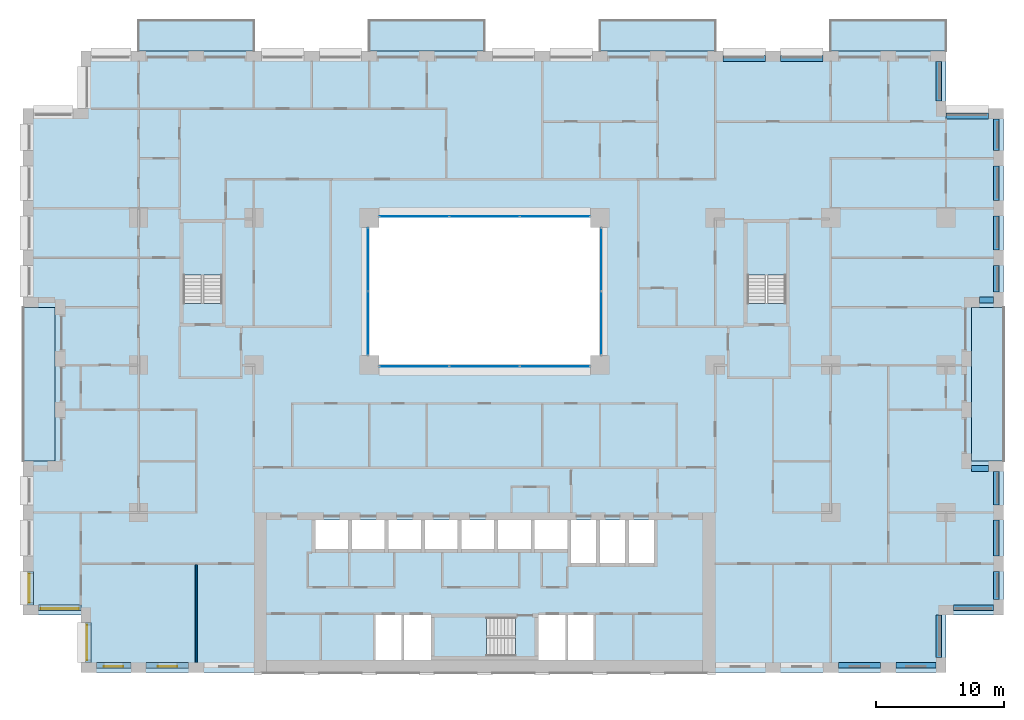
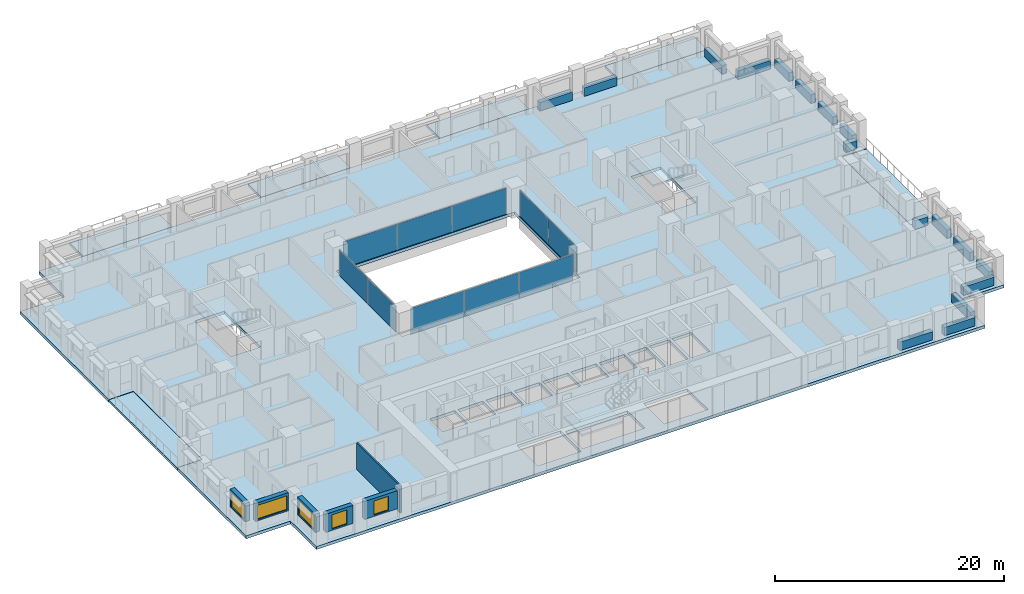
# One storey, part 8 of 20: 17 beams, 10 plates, 10 slabs, 6 walls, 5 windows, 5 openings, 7 elements without a shape of their own.
"""IFC4 building model written with IfcOpenShell, lengths in metres."""

from ifc_helpers import new_model, si_unit, direction, frame, frame_2d, origin, origin_2d, place, context, subcontext, project, spatial, polyline, rectangle, outline, extrude, material, layer, layer_set, material_profile, profile_set, type_object, element, fill, aggregate, save


model = new_model("IFC4")

# Units and contexts
model_context = context("Model", 3, precision=1e-05, world=origin(), true_north=direction((0.0, 1.0)))
body_context = subcontext(model_context, "Body", "Model", "MODEL_VIEW")
ifc_project = project(units=[si_unit("LENGTHUNIT", "METRE"), si_unit("AREAUNIT", "SQUARE_METRE"), si_unit("VOLUMEUNIT", "CUBIC_METRE"), si_unit("PLANEANGLEUNIT", "RADIAN"), si_unit("MASSUNIT", "GRAM", prefix="KILO")], contexts=[model_context])

# Site, building, storey
site_placement = place(None, origin())
site = spatial("IfcSite", under=ifc_project, at=site_placement, CompositionType="ELEMENT")
building_placement = place(site_placement, origin())
building = spatial("IfcBuilding", under=site, at=building_placement, Name="Brigalow Station Residences", CompositionType="ELEMENT")
storey_placement = place(building_placement, frame((0.0, 0.0, 41.550048828125)))
storey = spatial("IfcBuildingStorey", under=building, at=storey_placement, Name="L11", CompositionType="ELEMENT", Elevation=41.550048828125)

# Beams
ifc_material_1 = material(Name="Concrete C65", Category="concrete")
ifc_material_profile = material_profile(ifc_material_1, rectangle(XDim=0.449951171875, YDim=0.89990234375, at=origin_2d()), Name="RC450x900")
ifc_profile_set = profile_set([ifc_material_profile], Name="Concrete C65")
beam_type = type_object("IfcBeamType", Name="SPANDREL BEAM 450x900 C65", PredefinedType="SPANDREL", material=ifc_profile_set)
beam_1_placement = place(storey_placement, frame((63.60009765625, 0.574951171875, 0.449951171875), z_axis=(1.0, 0.0, 0.0), x_axis=(0.0, 1.0, 0.0)))
element("IfcBeam", 1, at=beam_1_placement, inside=storey, type_object=beam_type, Name="L11/spandrel/W-L11-7", PredefinedType="SPANDREL", context=body_context, shape_type="SweptSolid", body=[
    extrude(rectangle(XDim=0.449951171875, YDim=0.89990234375, at=origin_2d()), origin(), (0.0, 0.0, 1.0), 3.2998046875),
])
beam_2_placement = place(storey_placement, frame((68.10009765625, 0.574951171875, 0.449951171875), z_axis=(1.0, 0.0, 0.0), x_axis=(0.0, 1.0, 0.0)))
element("IfcBeam", 2, at=beam_2_placement, inside=storey, type_object=beam_type, Name="L11/spandrel/W-L11-8", PredefinedType="SPANDREL", context=body_context, shape_type="SweptSolid", body=[
    extrude(rectangle(XDim=0.449951171875, YDim=0.89990234375, at=origin_2d()), origin(), (0.0, 0.0, 1.0), 3.099853515625),
])
beam_3_placement = place(storey_placement, frame((71.425048828125, 1.199951171875, 0.449951171875), z_axis=(0.0, 1.0, 0.0), x_axis=(-1.0, 0.0, 0.0)))
element("IfcBeam", 3, at=beam_3_placement, inside=storey, type_object=beam_type, Name="L11/spandrel/W-L11-9", PredefinedType="SPANDREL", context=body_context, shape_type="SweptSolid", body=[
    extrude(rectangle(XDim=0.449951171875, YDim=0.89990234375, at=origin_2d()), origin(), (0.0, 0.0, 1.0), 3.300048828125),
])
beam_4_placement = place(storey_placement, frame((72.60009765625, 5.074951171875, 0.449951171875), z_axis=(1.0, 0.0, 0.0), x_axis=(0.0, 1.0, 0.0)))
element("IfcBeam", 4, at=beam_4_placement, inside=storey, type_object=beam_type, Name="L11/spandrel/W-L11-10", PredefinedType="SPANDREL", context=body_context, shape_type="SweptSolid", body=[
    extrude(rectangle(XDim=0.449951171875, YDim=0.89990234375, at=origin_2d()), origin(), (0.0, 0.0, 1.0), 3.099853515625),
])
beam_5_placement = place(storey_placement, frame((75.925048828125, 5.699951171875, 0.449951171875), z_axis=(0.0, 1.0, 0.0), x_axis=(-1.0, 0.0, 0.0)))
element("IfcBeam", 5, at=beam_5_placement, inside=storey, type_object=beam_type, Name="L11/spandrel/W-L11-11", PredefinedType="SPANDREL", context=body_context, shape_type="SweptSolid", body=[
    extrude(rectangle(XDim=0.449951171875, YDim=0.89990234375, at=origin_2d()), origin(), (0.0, 0.0, 1.0), 2.199951171875),
])
beam_6_placement = place(storey_placement, frame((75.925048828125, 9.10009765625, 0.449951171875), z_axis=(0.0, 1.0, 0.0), x_axis=(-1.0, 0.0, 0.0)))
element("IfcBeam", 6, at=beam_6_placement, inside=storey, type_object=beam_type, Name="L11/spandrel/W-L11-12", PredefinedType="SPANDREL", context=body_context, shape_type="SweptSolid", body=[
    extrude(rectangle(XDim=0.449951171875, YDim=0.89990234375, at=origin_2d()), origin(), (0.0, 0.0, 1.0), 2.7998046875),
])
beam_7_placement = place(storey_placement, frame((75.925048828125, 13.10009765625, 0.449951171875), z_axis=(0.0, 1.0, 0.0), x_axis=(-1.0, 0.0, 0.0)))
element("IfcBeam", 7, at=beam_7_placement, inside=storey, type_object=beam_type, Name="L11/spandrel/W-L11-13", PredefinedType="SPANDREL", context=body_context, shape_type="SweptSolid", body=[
    extrude(rectangle(XDim=0.449951171875, YDim=0.89990234375, at=origin_2d()), origin(), (0.0, 0.0, 1.0), 2.599853515625),
])
beam_8_placement = place(storey_placement, frame((75.300048828125, 15.925048828125, 0.449951171875), z_axis=(-1.0, 0.0, 0.0), x_axis=(0.0, -1.0, 0.0)))
element("IfcBeam", 8, at=beam_8_placement, inside=storey, type_object=beam_type, Name="L11/spandrel/W-L11-14", PredefinedType="SPANDREL", context=body_context, shape_type="SweptSolid", body=[
    extrude(rectangle(XDim=0.449951171875, YDim=0.89990234375, at=origin_2d()), origin(), (0.0, 0.0, 1.0), 1.300048828125),
])
beam_9_placement = place(storey_placement, frame((74.60009765625, 29.074951171875, 0.449951171875), z_axis=(1.0, 0.0, 0.0), x_axis=(0.0, 1.0, 0.0)))
element("IfcBeam", 9, at=beam_9_placement, inside=storey, type_object=beam_type, Name="L11/spandrel/W-L11-18", PredefinedType="SPANDREL", context=body_context, shape_type="SweptSolid", body=[
    extrude(rectangle(XDim=0.449951171875, YDim=0.89990234375, at=origin_2d()), origin(), (0.0, 0.0, 1.0), 1.099853515625),
])
beam_10_placement = place(storey_placement, frame((75.925048828125, 29.699951171875, 0.449951171875), z_axis=(0.0, 1.0, 0.0), x_axis=(-1.0, 0.0, 0.0)))
element("IfcBeam", 10, at=beam_10_placement, inside=storey, type_object=beam_type, Name="L11/spandrel/W-L11-19", PredefinedType="SPANDREL", context=body_context, shape_type="SweptSolid", body=[
    extrude(rectangle(XDim=0.449951171875, YDim=0.89990234375, at=origin_2d()), origin(), (0.0, 0.0, 1.0), 2.074951171875),
])
for number, where, z_axis, x_axis, name in (
    (11, (75.925048828125, 32.97509765625, 0.449951171875), (0.0, 1.0, 0.0), (-1.0, 0.0, 0.0), "L11/spandrel/W-L11-20"),
    (12, (75.925048828125, 36.85009765625, 0.449951171875), (0.0, 1.0, 0.0), (-1.0, 0.0, 0.0), "L11/spandrel/W-L11-21"),
):
    element("IfcBeam", number, at=place(storey_placement, frame(where, z_axis=z_axis, x_axis=x_axis)), inside=storey, type_object=beam_type, Name=name, PredefinedType="SPANDREL", context=body_context, shape_type="SweptSolid", body=[
        extrude(rectangle(XDim=0.449951171875, YDim=0.89990234375, at=origin_2d()), origin(), (0.0, 0.0, 1.0), 2.6748046875),
    ])
beam_11_placement = place(storey_placement, frame((75.925048828125, 40.72509765625, 0.449951171875), z_axis=(0.0, 1.0, 0.0), x_axis=(-1.0, 0.0, 0.0)))
element("IfcBeam", 13, at=beam_11_placement, inside=storey, type_object=beam_type, Name="L11/spandrel/W-L11-22", PredefinedType="SPANDREL", context=body_context, shape_type="SweptSolid", body=[
    extrude(rectangle(XDim=0.449951171875, YDim=0.89990234375, at=origin_2d()), origin(), (0.0, 0.0, 1.0), 2.474853515625),
])
beam_12_placement = place(storey_placement, frame((75.300048828125, 43.425048828125, 0.449951171875), z_axis=(-1.0, 0.0, 0.0), x_axis=(0.0, -1.0, 0.0)))
element("IfcBeam", 14, at=beam_12_placement, inside=storey, type_object=beam_type, Name="L11/spandrel/W-L11-23", PredefinedType="SPANDREL", context=body_context, shape_type="SweptSolid", body=[
    extrude(rectangle(XDim=0.449951171875, YDim=0.89990234375, at=origin_2d()), origin(), (0.0, 0.0, 1.0), 3.300048828125),
])
beam_13_placement = place(storey_placement, frame((71.425048828125, 44.60009765625, 0.449951171875), z_axis=(0.0, 1.0, 0.0), x_axis=(-1.0, 0.0, 0.0)))
element("IfcBeam", 15, at=beam_13_placement, inside=storey, type_object=beam_type, Name="L11/spandrel/W-L11-24", PredefinedType="SPANDREL", context=body_context, shape_type="SweptSolid", body=[
    extrude(rectangle(XDim=0.449951171875, YDim=0.89990234375, at=origin_2d()), origin(), (0.0, 0.0, 1.0), 3.099853515625),
])
for number, where, z_axis, x_axis, name in (
    (16, (62.39990234375, 47.925048828125, 0.449951171875), (-1.0, 0.0, 0.0), (0.0, -1.0, 0.0), "L11/spandrel/W-L11-27"),
    (17, (57.89990234375, 47.925048828125, 0.449951171875), (-1.0, 0.0, 0.0), (0.0, -1.0, 0.0), "L11/spandrel/W-L11-28"),
):
    element("IfcBeam", number, at=place(storey_placement, frame(where, z_axis=z_axis, x_axis=x_axis)), inside=storey, type_object=beam_type, Name=name, PredefinedType="SPANDREL", context=body_context, shape_type="SweptSolid", body=[
        extrude(rectangle(XDim=0.449951171875, YDim=0.89990234375, at=origin_2d()), origin(), (0.0, 0.0, 1.0), 3.2998046875),
    ])

# Curtain wall, plates
ifc_material_2 = material(Name="Aluminium", Category="aluminium")
ifc_layer_1 = layer(ifc_material_2, 0.14990234375)
ifc_layer_set_1 = layer_set([ifc_layer_1], Name="ATRIUM FIRE-RATED GLAZING CURTAIN WALL")
curtain_wall_type = type_object("IfcCurtainWallType", Name="ATRIUM FIRE-RATED GLAZING CURTAIN WALL", PredefinedType="NOTDEFINED", material=ifc_layer_set_1)
curtain_wall_1_placement = place(storey_placement, origin())
curtain_wall_1 = element("IfcCurtainWall", 18, at=curtain_wall_1_placement, inside=storey, type_object=curtain_wall_type, Name="L11/cw/atrium-S", PredefinedType="NOTDEFINED")
ifc_material_3 = material(Name="Fire-resisting laminated glazing, FRL -/60/-", Category="glass")
ifc_layer_2 = layer(ifc_material_3, 0.031982421875)
ifc_layer_set_2 = layer_set([ifc_layer_2], Name="ATRIUM FIRE-RATED GLAZING PANEL 32")
plate_type = type_object("IfcPlateType", Name="ATRIUM FIRE-RATED GLAZING PANEL 32", PredefinedType="CURTAIN_PANEL", material=ifc_layer_set_2)
plate_1_placement = place(storey_placement, frame((30.514892578125, 23.89990234375, 0.0), z_axis=(0.0, 0.0, 1.0), x_axis=(1.0, 0.0, 0.0)))
plate_1 = element("IfcPlate", 19, at=plate_1_placement, type_object=plate_type, Name="L11/cw/atrium-S/P00-00", PredefinedType="CURTAIN_PANEL", context=body_context, shape_type="SweptSolid", body=[
    extrude(rectangle(XDim=5.409912109375, YDim=0.031982421875, at=origin_2d()), origin(), (0.0, 0.0, 1.0), 2.77001953125),
])
plate_2_placement = place(storey_placement, frame((36.0, 23.89990234375, 0.0), z_axis=(0.0, 0.0, 1.0), x_axis=(1.0, 0.0, 0.0)))
plate_2 = element("IfcPlate", 20, at=plate_2_placement, type_object=plate_type, Name="L11/cw/atrium-S/P01-00", PredefinedType="CURTAIN_PANEL", context=body_context, shape_type="SweptSolid", body=[
    extrude(rectangle(XDim=5.43994140625, YDim=0.031982421875, at=origin_2d()), origin(), (0.0, 0.0, 1.0), 2.77001953125),
])
plate_3_placement = place(storey_placement, frame((41.485107421875, 23.89990234375, 0.0), z_axis=(0.0, 0.0, 1.0), x_axis=(1.0, 0.0, 0.0)))
plate_3 = element("IfcPlate", 21, at=plate_3_placement, type_object=plate_type, Name="L11/cw/atrium-S/P02-00", PredefinedType="CURTAIN_PANEL", context=body_context, shape_type="SweptSolid", body=[
    extrude(rectangle(XDim=5.409912109375, YDim=0.031982421875, at=origin_2d()), origin(), (0.0, 0.0, 1.0), 2.77001953125),
])
aggregate(curtain_wall_1, [plate_1, plate_2, plate_3])

curtain_wall_2_placement = place(storey_placement, origin())
curtain_wall_2 = element("IfcCurtainWall", 22, at=curtain_wall_2_placement, inside=storey, type_object=curtain_wall_type, Name="L11/cw/atrium-E", PredefinedType="NOTDEFINED")
plate_4_placement = place(storey_placement, frame((45.10009765625, 27.264892578125, 0.0), z_axis=(0.0, 0.0, 1.0), x_axis=(0.0, 1.0, 0.0)))
plate_4 = element("IfcPlate", 23, at=plate_4_placement, type_object=plate_type, Name="L11/cw/atrium-E/P00-00", PredefinedType="CURTAIN_PANEL", context=body_context, shape_type="SweptSolid", body=[
    extrude(rectangle(XDim=4.909912109375, YDim=0.031982421875, at=origin_2d()), origin(), (0.0, 0.0, 1.0), 2.77001953125),
])
plate_5_placement = place(storey_placement, frame((45.10009765625, 32.235107421875, 0.0), z_axis=(0.0, 0.0, 1.0), x_axis=(0.0, 1.0, 0.0)))
plate_5 = element("IfcPlate", 24, at=plate_5_placement, type_object=plate_type, Name="L11/cw/atrium-E/P01-00", PredefinedType="CURTAIN_PANEL", context=body_context, shape_type="SweptSolid", body=[
    extrude(rectangle(XDim=4.909912109375, YDim=0.031982421875, at=origin_2d()), origin(), (0.0, 0.0, 1.0), 2.77001953125),
])
aggregate(curtain_wall_2, [plate_4, plate_5])

curtain_wall_3_placement = place(storey_placement, origin())
curtain_wall_3 = element("IfcCurtainWall", 25, at=curtain_wall_3_placement, inside=storey, type_object=curtain_wall_type, Name="L11/cw/atrium-N", PredefinedType="NOTDEFINED")
plate_6_placement = place(storey_placement, frame((41.485107421875, 35.60009765625, 0.0), z_axis=(0.0, 0.0, 1.0), x_axis=(-1.0, 0.0, 0.0)))
plate_6 = element("IfcPlate", 26, at=plate_6_placement, type_object=plate_type, Name="L11/cw/atrium-N/P00-00", PredefinedType="CURTAIN_PANEL", context=body_context, shape_type="SweptSolid", body=[
    extrude(rectangle(XDim=5.409912109375, YDim=0.031982421875, at=origin_2d()), origin(), (0.0, 0.0, 1.0), 2.77001953125),
])
plate_7_placement = place(storey_placement, frame((36.0, 35.60009765625, 0.0), z_axis=(0.0, 0.0, 1.0), x_axis=(-1.0, 0.0, 0.0)))
plate_7 = element("IfcPlate", 27, at=plate_7_placement, type_object=plate_type, Name="L11/cw/atrium-N/P01-00", PredefinedType="CURTAIN_PANEL", context=body_context, shape_type="SweptSolid", body=[
    extrude(rectangle(XDim=5.43994140625, YDim=0.031982421875, at=origin_2d()), origin(), (0.0, 0.0, 1.0), 2.77001953125),
])
plate_8_placement = place(storey_placement, frame((30.514892578125, 35.60009765625, 0.0), z_axis=(0.0, 0.0, 1.0), x_axis=(-1.0, 0.0, 0.0)))
plate_8 = element("IfcPlate", 28, at=plate_8_placement, type_object=plate_type, Name="L11/cw/atrium-N/P02-00", PredefinedType="CURTAIN_PANEL", context=body_context, shape_type="SweptSolid", body=[
    extrude(rectangle(XDim=5.409912109375, YDim=0.031982421875, at=origin_2d()), origin(), (0.0, 0.0, 1.0), 2.77001953125),
])
aggregate(curtain_wall_3, [plate_6, plate_7, plate_8])

curtain_wall_4_placement = place(storey_placement, origin())
curtain_wall_4 = element("IfcCurtainWall", 29, at=curtain_wall_4_placement, inside=storey, type_object=curtain_wall_type, Name="L11/cw/atrium-W", PredefinedType="NOTDEFINED")
plate_9_placement = place(storey_placement, frame((26.89990234375, 32.235107421875, 0.0), z_axis=(0.0, 0.0, 1.0), x_axis=(0.0, -1.0, 0.0)))
plate_9 = element("IfcPlate", 30, at=plate_9_placement, type_object=plate_type, Name="L11/cw/atrium-W/P00-00", PredefinedType="CURTAIN_PANEL", context=body_context, shape_type="SweptSolid", body=[
    extrude(rectangle(XDim=4.909912109375, YDim=0.031982421875, at=origin_2d()), origin(), (0.0, 0.0, 1.0), 2.77001953125),
])
plate_10_placement = place(storey_placement, frame((26.89990234375, 27.264892578125, 0.0), z_axis=(0.0, 0.0, 1.0), x_axis=(0.0, -1.0, 0.0)))
plate_10 = element("IfcPlate", 31, at=plate_10_placement, type_object=plate_type, Name="L11/cw/atrium-W/P01-00", PredefinedType="CURTAIN_PANEL", context=body_context, shape_type="SweptSolid", body=[
    extrude(rectangle(XDim=4.909912109375, YDim=0.031982421875, at=origin_2d()), origin(), (0.0, 0.0, 1.0), 2.77001953125),
])
aggregate(curtain_wall_4, [plate_9, plate_10])

# Slabs
ifc_material_4 = material(Name="Concrete C50 precast", Category="concrete")
ifc_layer_3 = layer(ifc_material_4, 0.25)
ifc_layer_set_3 = layer_set([ifc_layer_3], Name="BALCONY SLAB 250")
slab_type_1 = type_object("IfcSlabType", Name="BALCONY SLAB 250", PredefinedType="USERDEFINED", material=ifc_layer_set_3)
slab_1_placement = place(storey_placement, frame((0.0, 0.0, -0.2900390625)))
element("IfcSlab", 32, at=slab_1_placement, inside=storey, type_object=slab_type_1, Name="L11/balcony/1", ObjectType="BALCONY", PredefinedType="USERDEFINED", context=body_context, shape_type="SweptSolid", body=[
    extrude(outline(polyline([(74.0, 16.5), (76.5, 16.5), (76.5, 28.5), (74.0, 28.5), (74.0, 16.5)])), origin(), (0.0, 0.0, 1.0), 0.25),
])
slab_2_placement = place(storey_placement, frame((0.0, 0.0, -0.2900390625)))
element("IfcSlab", 33, at=slab_2_placement, inside=storey, type_object=slab_type_1, Name="L11/balcony/2", ObjectType="BALCONY", PredefinedType="USERDEFINED", context=body_context, shape_type="SweptSolid", body=[
    extrude(outline(polyline([(72.0, 48.5), (72.0, 50.89990234375), (63.0, 50.89990234375), (63.0, 48.5), (72.0, 48.5)])), origin(), (0.0, 0.0, 1.0), 0.25),
])
slab_3_placement = place(storey_placement, frame((0.0, 0.0, -0.2900390625)))
element("IfcSlab", 34, at=slab_3_placement, inside=storey, type_object=slab_type_1, Name="L11/balcony/3", ObjectType="BALCONY", PredefinedType="USERDEFINED", context=body_context, shape_type="SweptSolid", body=[
    extrude(outline(polyline([(54.0, 48.5), (54.0, 50.89990234375), (45.0, 50.89990234375), (45.0, 48.5), (54.0, 48.5)])), origin(), (0.0, 0.0, 1.0), 0.25),
])
slab_4_placement = place(storey_placement, frame((0.0, 0.0, -0.2900390625)))
element("IfcSlab", 35, at=slab_4_placement, inside=storey, type_object=slab_type_1, Name="L11/balcony/4", ObjectType="BALCONY", PredefinedType="USERDEFINED", context=body_context, shape_type="SweptSolid", body=[
    extrude(outline(polyline([(36.0, 48.5), (36.0, 50.89990234375), (27.0, 50.89990234375), (27.0, 48.5), (36.0, 48.5)])), origin(), (0.0, 0.0, 1.0), 0.25),
])
slab_5_placement = place(storey_placement, frame((0.0, 0.0, -0.2900390625)))
element("IfcSlab", 36, at=slab_5_placement, inside=storey, type_object=slab_type_1, Name="L11/balcony/5", ObjectType="BALCONY", PredefinedType="USERDEFINED", context=body_context, shape_type="SweptSolid", body=[
    extrude(outline(polyline([(18.0, 48.5), (18.0, 50.89990234375), (9.0, 50.89990234375), (9.0, 48.5), (18.0, 48.5)])), origin(), (0.0, 0.0, 1.0), 0.25),
])
slab_6_placement = place(storey_placement, frame((0.0, 0.0, -0.2900390625)))
element("IfcSlab", 37, at=slab_6_placement, inside=storey, type_object=slab_type_1, Name="L11/balcony/6", ObjectType="BALCONY", PredefinedType="USERDEFINED", context=body_context, shape_type="SweptSolid", body=[
    extrude(outline(polyline([(2.5, 28.5), (0.0, 28.5), (0.0, 16.5), (2.5, 16.5), (2.5, 28.5)])), origin(), (0.0, 0.0, 1.0), 0.25),
])
ifc_material_5 = material(Name="Concrete C50", Category="concrete")
ifc_layer_4 = layer(ifc_material_5, 0.320068359375)
ifc_layer_set_4 = layer_set([ifc_layer_4], Name="POST-TENSIONED FLAT PLATE 320 C50")
slab_type_2 = type_object("IfcSlabType", Name="POST-TENSIONED FLAT PLATE 320 C50", PredefinedType="FLOOR", material=ifc_layer_set_4)
slab_7_placement = place(storey_placement, frame((0.0, 0.0, -0.320068359375)))
element("IfcSlab", 38, at=slab_7_placement, inside=storey, type_object=slab_type_2, Name="FLOOR SLAB L11", PredefinedType="FLOOR", context=body_context, shape_type="SweptSolid", body=[
    extrude(outline(polyline([(4.5, 0.0), (72.0, 0.0), (72.0, 4.5), (76.5, 4.5), (76.5, 16.5), (74.0, 16.5), (74.0, 28.5), (76.5, 28.5), (76.5, 44.0), (72.0, 44.0), (72.0, 48.5), (4.5, 48.5), (4.5, 44.0), (0.0, 44.0), (0.0, 28.5), (2.5, 28.5), (2.5, 16.5), (0.0, 16.5), (0.0, 4.5), (4.5, 4.5), (4.5, 0.0)]), holes=[polyline([(15.4951171875, 35.094970703125), (15.4951171875, 28.804931640625), (12.5048828125, 28.804931640625), (12.5048828125, 35.094970703125), (15.4951171875, 35.094970703125)]), polyline([(22.800048828125, 11.89990234375), (25.35009765625, 11.89990234375), (25.35009765625, 9.64990234375), (22.800048828125, 9.64990234375), (22.800048828125, 11.89990234375)]), polyline([(25.64990234375, 11.89990234375), (28.199951171875, 11.89990234375), (28.199951171875, 9.64990234375), (25.64990234375, 9.64990234375), (25.64990234375, 11.89990234375)]), polyline([(28.5, 11.89990234375), (31.050048828125, 11.89990234375), (31.050048828125, 9.64990234375), (28.5, 9.64990234375), (28.5, 11.89990234375)]), polyline([(29.60009765625, 1.0), (27.39990234375, 1.0), (27.39990234375, 4.60009765625), (29.60009765625, 4.60009765625), (31.800048828125, 4.60009765625), (31.800048828125, 1.0), (29.60009765625, 1.0)]), polyline([(31.35009765625, 11.89990234375), (33.89990234375, 11.89990234375), (33.89990234375, 9.64990234375), (31.35009765625, 9.64990234375), (31.35009765625, 11.89990234375)]), polyline([(32.10498046875, 4.294921875), (38.39501953125, 4.294921875), (38.39501953125, 1.304931640625), (32.10498046875, 1.304931640625), (32.10498046875, 4.294921875)]), polyline([(36.75, 11.89990234375), (36.75, 9.64990234375), (34.199951171875, 9.64990234375), (34.199951171875, 11.89990234375), (36.75, 11.89990234375)]), polyline([(37.050048828125, 11.89990234375), (39.60009765625, 11.89990234375), (39.60009765625, 9.64990234375), (37.050048828125, 9.64990234375), (37.050048828125, 11.89990234375)]), polyline([(39.89990234375, 11.89990234375), (42.449951171875, 11.89990234375), (42.449951171875, 9.64990234375), (39.89990234375, 9.64990234375), (39.89990234375, 11.89990234375)]), polyline([(42.39990234375, 1.0), (40.199951171875, 1.0), (40.199951171875, 4.60009765625), (42.39990234375, 4.60009765625), (44.60009765625, 4.60009765625), (44.60009765625, 1.0), (42.39990234375, 1.0)]), polyline([(42.75, 11.89990234375), (44.699951171875, 11.89990234375), (44.699951171875, 8.550048828125), (42.75, 8.550048828125), (42.75, 11.89990234375)]), polyline([(45.0, 11.89990234375), (46.949951171875, 11.89990234375), (46.949951171875, 8.550048828125), (45.0, 8.550048828125), (45.0, 11.89990234375)]), polyline([(45.0, 35.5), (45.0, 24.0), (27.0, 24.0), (27.0, 35.5), (45.0, 35.5)]), polyline([(47.25, 11.89990234375), (49.199951171875, 11.89990234375), (49.199951171875, 8.550048828125), (47.25, 8.550048828125), (47.25, 11.89990234375)]), polyline([(59.4951171875, 35.094970703125), (59.4951171875, 28.804931640625), (56.5048828125, 28.804931640625), (56.5048828125, 35.094970703125), (59.4951171875, 35.094970703125)])]), origin(), (0.0, 0.0, 1.0), 0.320068359375),
])

# Stair, slab
ifc_material_6 = material(Name="Concrete C50", Category="concrete")
stair_type = type_object("IfcStairType", Name="EXIT STAIR 1400 2 FLIGHT", PredefinedType="HALF_TURN_STAIR", material=ifc_material_6)
stair_1_placement = place(storey_placement, origin())
stair_1 = element("IfcStair", 39, at=stair_1_placement, inside=storey, type_object=stair_type, Name="EXIT STAIR S2 L11", PredefinedType="HALF_TURN_STAIR")
ifc_material_7 = material(Name="Concrete C50", Category="concrete")
ifc_layer_5 = layer(ifc_material_7, 0.199951171875)
ifc_layer_set_5 = layer_set([ifc_layer_5], Name="STAIR LANDING 200")
slab_type_3 = type_object("IfcSlabType", Name="STAIR LANDING 200", PredefinedType="LANDING", material=ifc_layer_set_5)
slab_8_placement = place(storey_placement, frame((0.0, 0.0, 1.375)))
slab_8 = element("IfcSlab", 40, at=slab_8_placement, type_object=slab_type_3, Name="ST-2 landing 1", PredefinedType="LANDING", context=body_context, shape_type="SweptSolid", body=[
    extrude(outline(polyline([(32.0, 1.199951171875), (36.159912109375, 1.199951171875), (36.159912109375, 4.39990234375), (32.0, 4.39990234375), (32.0, 1.199951171875)])), origin(), (0.0, 0.0, 1.0), 0.199951171875),
])
aggregate(stair_1, [slab_8])

stair_2_placement = place(storey_placement, origin())
stair_2 = element("IfcStair", 41, at=stair_2_placement, inside=storey, type_object=stair_type, Name="EXIT STAIR S1 L11", PredefinedType="HALF_TURN_STAIR")
slab_9_placement = place(storey_placement, frame((0.0, 0.0, 1.375)))
slab_9 = element("IfcSlab", 42, at=slab_9_placement, type_object=slab_type_3, Name="ST-1 landing 1", PredefinedType="LANDING", context=body_context, shape_type="SweptSolid", body=[
    extrude(outline(polyline([(12.39990234375, 31.0400390625), (15.60009765625, 31.0400390625), (15.60009765625, 35.199951171875), (12.39990234375, 35.199951171875), (12.39990234375, 31.0400390625)])), origin(), (0.0, 0.0, 1.0), 0.199951171875),
])
aggregate(stair_2, [slab_9])

stair_3_placement = place(storey_placement, origin())
stair_3 = element("IfcStair", 43, at=stair_3_placement, inside=storey, type_object=stair_type, Name="EXIT STAIR S3 L11", PredefinedType="HALF_TURN_STAIR")
slab_10_placement = place(storey_placement, frame((0.0, 0.0, 1.375)))
slab_10 = element("IfcSlab", 44, at=slab_10_placement, type_object=slab_type_3, Name="ST-3 landing 1", PredefinedType="LANDING", context=body_context, shape_type="SweptSolid", body=[
    extrude(outline(polyline([(56.39990234375, 31.0400390625), (59.60009765625, 31.0400390625), (59.60009765625, 35.199951171875), (56.39990234375, 35.199951171875), (56.39990234375, 31.0400390625)])), origin(), (0.0, 0.0, 1.0), 0.199951171875),
])
aggregate(stair_3, [slab_10])

# Wall, opening, window
ifc_material_8 = material(Name="Clay brick masonry", Category="masonry")
ifc_layer_6 = layer(ifc_material_8, 0.449951171875)
ifc_layer_set_6 = layer_set([ifc_layer_6], Name="BRICK INFILL WALL 450")
wall_type_1 = type_object("IfcWallType", Name="BRICK INFILL WALL 450", PredefinedType="SOLIDWALL", material=ifc_layer_set_6)
wall_1_placement = place(storey_placement, frame((5.699951171875, 0.574951171875, 0.89990234375), z_axis=(0.0, 0.0, 1.0), x_axis=(1.0, 0.0, 0.0)))
wall_1 = element("IfcWall", 45, at=wall_1_placement, inside=storey, type_object=wall_type_1, Name="L11/ewall/W-L11-1", PredefinedType="SOLIDWALL", context=body_context, shape_type="SweptSolid", body=[
    extrude(rectangle(XDim=2.699951171875, YDim=0.449951171875, at=frame_2d((1.35009765625, 0.0))), origin(), (0.0, 0.0, 1.0), 1.929931640625),
])
opening_1_placement = place(wall_1_placement, frame((0.60009765625, 0.0, 0.14990234375)))
opening_1 = element("IfcOpeningElement", 46, at=opening_1_placement, cuts=wall_1, Name="Opening WT-1", PredefinedType="OPENING", context=body_context, shape_type="SweptSolid", body=[
    extrude(rectangle(XDim=1.5, YDim=1.5, at=frame_2d((0.75, 0.75))), frame((0.0, 0.23486328125, 0.0), z_axis=(0.0, -1.0, 0.0), x_axis=(1.0, 0.0, 0.0)), (0.0, 0.0, 1.0), 0.469970703125),
])
ifc_material_9 = material(Name="Anodised aluminium frame with double glazing", Category="aluminium")
window_type_1 = type_object("IfcWindowType", Name="WINDOW 1500x1500", PartitioningType="SINGLE_PANEL", PredefinedType="WINDOW", material=ifc_material_9)
window_1_placement = place(opening_1_placement, origin())
window_1 = element("IfcWindow", 47, at=window_1_placement, inside=storey, type_object=window_type_1, Name="L11/window/W-L11-1", OverallHeight=1.5, OverallWidth=1.5, PartitioningType="SINGLE_PANEL", PredefinedType="WINDOW", context=body_context, shape_type="SweptSolid", body=[
    extrude(rectangle(XDim=1.5, YDim=1.5, at=frame_2d((0.75, 0.75))), frame((0.0, -0.06494140625, 0.0), z_axis=(0.0, -1.0, 0.0), x_axis=(1.0, 0.0, 0.0)), (0.0, 0.0, 1.0), 0.06005859375),
])
fill(opening_1, window_1)

wall_2_placement = place(storey_placement, frame((9.60009765625, 0.574951171875, 0.89990234375), z_axis=(0.0, 0.0, 1.0), x_axis=(1.0, 0.0, 0.0)))
wall_2 = element("IfcWall", 48, at=wall_2_placement, inside=storey, type_object=wall_type_1, Name="L11/ewall/W-L11-2", PredefinedType="SOLIDWALL", context=body_context, shape_type="SweptSolid", body=[
    extrude(rectangle(XDim=3.2998046875, YDim=0.449951171875, at=frame_2d((1.64990234375, 0.0))), origin(), (0.0, 0.0, 1.0), 1.929931640625),
])
opening_2_placement = place(wall_2_placement, frame((0.89990234375, 0.0, 0.14990234375)))
opening_2 = element("IfcOpeningElement", 49, at=opening_2_placement, cuts=wall_2, Name="Opening WT-1", PredefinedType="OPENING", context=body_context, shape_type="SweptSolid", body=[
    extrude(rectangle(XDim=1.5, YDim=1.5, at=frame_2d((0.75, 0.75))), frame((0.0, 0.23486328125, 0.0), z_axis=(0.0, -1.0, 0.0), x_axis=(1.0, 0.0, 0.0)), (0.0, 0.0, 1.0), 0.469970703125),
])
window_2_placement = place(opening_2_placement, origin())
window_2 = element("IfcWindow", 50, at=window_2_placement, inside=storey, type_object=window_type_1, Name="L11/window/W-L11-2", OverallHeight=1.5, OverallWidth=1.5, PartitioningType="SINGLE_PANEL", PredefinedType="WINDOW", context=body_context, shape_type="SweptSolid", body=[
    extrude(rectangle(XDim=1.5, YDim=1.5, at=frame_2d((0.75, 0.75))), frame((0.0, -0.06494140625, 0.0), z_axis=(0.0, -1.0, 0.0), x_axis=(1.0, 0.0, 0.0)), (0.0, 0.0, 1.0), 0.06005859375),
])
fill(opening_2, window_2)

wall_3_placement = place(storey_placement, frame((0.574951171875, 7.89990234375, 0.89990234375), z_axis=(0.0, 0.0, 1.0), x_axis=(0.0, -1.0, 0.0)))
wall_3 = element("IfcWall", 51, at=wall_3_placement, inside=storey, type_object=wall_type_1, Name="L11/ewall/W-L11-53", PredefinedType="SOLIDWALL", context=body_context, shape_type="SweptSolid", body=[
    extrude(rectangle(XDim=2.599853515625, YDim=0.449951171875, at=frame_2d((1.2998046875, 0.0))), origin(), (0.0, 0.0, 1.0), 1.929931640625),
])
opening_3_placement = place(wall_3_placement, frame((0.175048828125, 0.0, 0.14990234375)))
opening_3 = element("IfcOpeningElement", 52, at=opening_3_placement, cuts=wall_3, Name="Opening WT-6", PredefinedType="OPENING", context=body_context, shape_type="SweptSolid", body=[
    extrude(rectangle(XDim=2.25, YDim=1.5, at=frame_2d((1.125, 0.75))), frame((0.0, 0.23486328125, 0.0), z_axis=(0.0, -1.0, 0.0), x_axis=(1.0, 0.0, 0.0)), (0.0, 0.0, 1.0), 0.469970703125),
])
ifc_material_10 = material(Name="Anodised aluminium frame with double glazing", Category="aluminium")
window_type_2 = type_object("IfcWindowType", Name="WINDOW 2250x1500", PartitioningType="SINGLE_PANEL", PredefinedType="WINDOW", material=ifc_material_10)
window_3_placement = place(opening_3_placement, origin())
window_3 = element("IfcWindow", 53, at=window_3_placement, inside=storey, type_object=window_type_2, Name="L11/window/W-L11-53", OverallHeight=1.5, OverallWidth=2.25, PartitioningType="SINGLE_PANEL", PredefinedType="WINDOW", context=body_context, shape_type="SweptSolid", body=[
    extrude(rectangle(XDim=2.25, YDim=1.5, at=frame_2d((1.125, 0.75))), frame((0.0, -0.06494140625, 0.0), z_axis=(0.0, -1.0, 0.0), x_axis=(1.0, 0.0, 0.0)), (0.0, 0.0, 1.0), 0.06005859375),
])
fill(opening_3, window_3)

wall_4_placement = place(storey_placement, frame((1.199951171875, 5.074951171875, 0.89990234375), z_axis=(0.0, 0.0, 1.0), x_axis=(1.0, 0.0, 0.0)))
wall_4 = element("IfcWall", 54, at=wall_4_placement, inside=storey, type_object=wall_type_1, Name="L11/ewall/W-L11-54", PredefinedType="SOLIDWALL", context=body_context, shape_type="SweptSolid", body=[
    extrude(rectangle(XDim=3.300048828125, YDim=0.449951171875, at=frame_2d((1.64990234375, 0.0))), origin(), (0.0, 0.0, 1.0), 1.929931640625),
])
opening_4_placement = place(wall_4_placement, frame((0.14990234375, 0.0, 0.14990234375)))
opening_4 = element("IfcOpeningElement", 55, at=opening_4_placement, cuts=wall_4, Name="Opening WT-2", PredefinedType="OPENING", context=body_context, shape_type="SweptSolid", body=[
    extrude(rectangle(XDim=3.0, YDim=1.5, at=frame_2d((1.5, 0.75))), frame((0.0, 0.23486328125, 0.0), z_axis=(0.0, -1.0, 0.0), x_axis=(1.0, 0.0, 0.0)), (0.0, 0.0, 1.0), 0.469970703125),
])
ifc_material_11 = material(Name="Anodised aluminium frame with double glazing", Category="aluminium")
window_type_3 = type_object("IfcWindowType", Name="WINDOW 3000x1500", PartitioningType="SINGLE_PANEL", PredefinedType="WINDOW", material=ifc_material_11)
window_4_placement = place(opening_4_placement, origin())
window_4 = element("IfcWindow", 56, at=window_4_placement, inside=storey, type_object=window_type_3, Name="L11/window/W-L11-54", OverallHeight=1.5, OverallWidth=3.0, PartitioningType="SINGLE_PANEL", PredefinedType="WINDOW", context=body_context, shape_type="SweptSolid", body=[
    extrude(rectangle(XDim=3.0, YDim=1.5, at=frame_2d((1.5, 0.75))), frame((0.0, -0.06494140625, 0.0), z_axis=(0.0, -1.0, 0.0), x_axis=(1.0, 0.0, 0.0)), (0.0, 0.0, 1.0), 0.06005859375),
])
fill(opening_4, window_4)

wall_5_placement = place(storey_placement, frame((5.074951171875, 3.89990234375, 0.89990234375), z_axis=(0.0, 0.0, 1.0), x_axis=(0.0, -1.0, 0.0)))
wall_5 = element("IfcWall", 57, at=wall_5_placement, inside=storey, type_object=wall_type_1, Name="L11/ewall/W-L11-55", PredefinedType="SOLIDWALL", context=body_context, shape_type="SweptSolid", body=[
    extrude(rectangle(XDim=3.099853515625, YDim=0.449951171875, at=frame_2d((1.5498046875, 0.0))), origin(), (0.0, 0.0, 1.0), 1.929931640625),
])
opening_5_placement = place(wall_5_placement, frame((0.175048828125, 0.0, 0.14990234375)))
opening_5 = element("IfcOpeningElement", 58, at=opening_5_placement, cuts=wall_5, Name="Opening WT-3", PredefinedType="OPENING", context=body_context, shape_type="SweptSolid", body=[
    extrude(rectangle(XDim=2.75, YDim=1.5, at=frame_2d((1.375, 0.75))), frame((0.0, 0.23486328125, 0.0), z_axis=(0.0, -1.0, 0.0), x_axis=(1.0, 0.0, 0.0)), (0.0, 0.0, 1.0), 0.469970703125),
])
ifc_material_12 = material(Name="Anodised aluminium frame with double glazing", Category="aluminium")
window_type_4 = type_object("IfcWindowType", Name="WINDOW 2750x1500", PartitioningType="SINGLE_PANEL", PredefinedType="WINDOW", material=ifc_material_12)
window_5_placement = place(opening_5_placement, origin())
window_5 = element("IfcWindow", 59, at=window_5_placement, inside=storey, type_object=window_type_4, Name="L11/window/W-L11-55", OverallHeight=1.5, OverallWidth=2.75, PartitioningType="SINGLE_PANEL", PredefinedType="WINDOW", context=body_context, shape_type="SweptSolid", body=[
    extrude(rectangle(XDim=2.75, YDim=1.5, at=frame_2d((1.375, 0.75))), frame((0.0, -0.06494140625, 0.0), z_axis=(0.0, -1.0, 0.0), x_axis=(1.0, 0.0, 0.0)), (0.0, 0.0, 1.0), 0.06005859375),
])
fill(opening_5, window_5)

# Wall
ifc_material_13 = material(Name="Plasterboard on steel stud partition", Category="steel")
ifc_layer_7 = layer(ifc_material_13, 0.14990234375)
ifc_layer_set_7 = layer_set([ifc_layer_7], Name="FLAT PARTITION 150")
wall_type_2 = type_object("IfcWallType", Name="FLAT PARTITION 150", PredefinedType="PARTITIONING", material=ifc_layer_set_7)
wall_6_placement = place(storey_placement, frame((13.5, 0.800048828125, 0.0), z_axis=(0.0, 0.0, 1.0), x_axis=(0.0, 1.0, 0.0)))
element("IfcWall", 60, at=wall_6_placement, inside=storey, type_object=wall_type_2, Name="PW-1C49", PredefinedType="PARTITIONING", context=body_context, shape_type="SweptSolid", body=[
    extrude(rectangle(XDim=7.625, YDim=0.14990234375, at=frame_2d((3.8125, 0.0))), origin(), (0.0, 0.0, 1.0), 2.829833984375),
])

save(model, "model.ifc")
